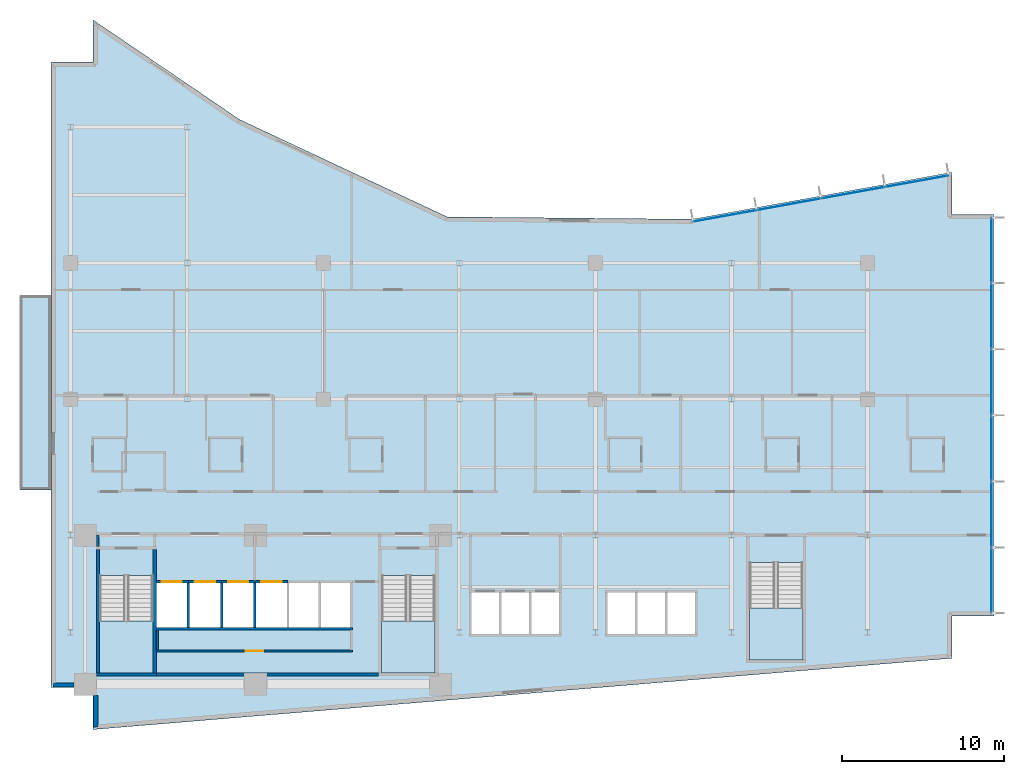
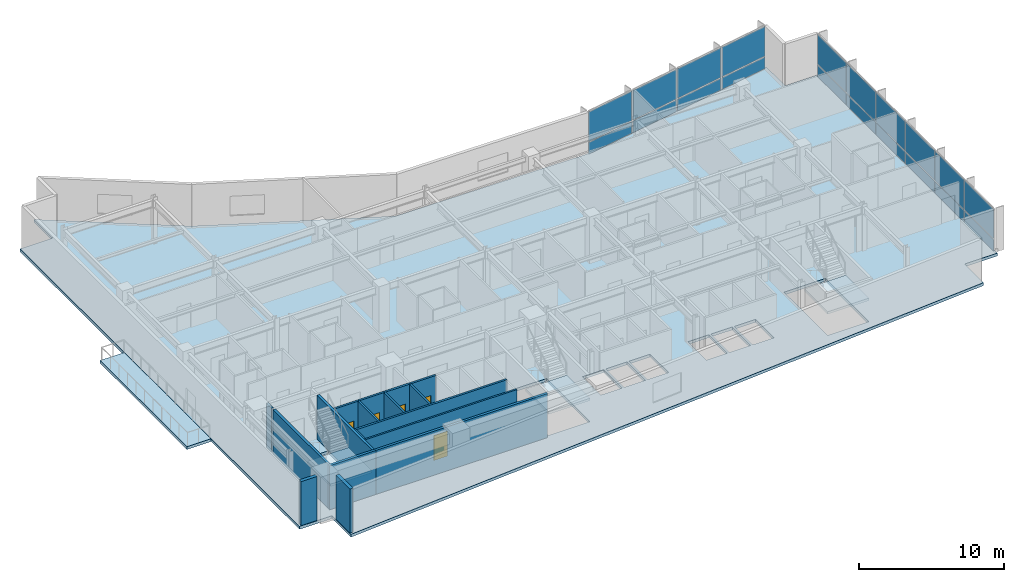
# One storey, part 11 of 20: 20 plates, 17 walls, 5 doors, 5 slabs, 5 openings, 5 elements without a shape of their own.
"""IFC4 building model written with IfcOpenShell, lengths in metres."""

import ifcopenshell
import ifcopenshell.guid

model = None  # the IFC model being written
_history = None  # IfcOwnerHistory: only IFC2X3 demands one
_inside = {}  # id of a spatial element -> (the spatial element, [elements in it])
_under = {}  # id of a project, library or spatial element -> (it, [spatial elements below it])
_declared = {}  # id of a project -> (the project, [libraries it declares])
_typed = {}  # id of a type object -> (the type object, [elements of that type])
_made_of = {}  # id of a material, layer set ... -> (it, [elements and type objects made of it])


def new_model(schema):
    """Start an empty IFC model of exactly this schema.

    Asked for "IFC4X3", IfcOpenShell would pick the latest addendum, in which some entities
    have other attributes; the version numbers below select the first issue.
    IFC2X3 requires an IfcOwnerHistory on every rooted entity: one is made here for all.
    """
    global model, _history
    if schema == "IFC4X3":
        model = ifcopenshell.file(schema_version=(4, 3, 0, 0))
    else:
        model = ifcopenshell.file(schema=schema)
    _inside.clear()
    _under.clear()
    _declared.clear()
    _typed.clear()
    _made_of.clear()
    _history = None
    if model.schema == "IFC2X3":
        org = make("IfcOrganization", Name="unknown")
        user = make(
            "IfcPersonAndOrganization",
            ThePerson=make("IfcPerson", FamilyName="unknown"),
            TheOrganization=org,
        )
        app = make(
            "IfcApplication",
            ApplicationDeveloper=org,
            Version="unknown",
            ApplicationFullName="unknown",
            ApplicationIdentifier="unknown",
        )
        _history = make(
            "IfcOwnerHistory",
            OwningUser=user,
            OwningApplication=app,
            ChangeAction="ADDED",
            CreationDate=0,
        )
    return model


def make(cls, **values):
    """One entity of the class cls with the attributes given. An attribute that is None is left unset."""
    return model.create_entity(
        cls, **{name: value for name, value in values.items() if value is not None}
    )


def rooted(cls, **values):
    """An entity with a GlobalId (a new one), such as an element, a storey or a relation."""
    return make(cls, GlobalId=ifcopenshell.guid.new(), OwnerHistory=_history, **values)


def si_unit(unit_type, name, prefix=None):
    """IfcSIUnit, for example si_unit("LENGTHUNIT", "METRE", prefix="MILLI")."""
    return make("IfcSIUnit", UnitType=unit_type, Prefix=prefix, Name=name)


def assignment(units):
    """IfcUnitAssignment: the units of a project."""
    return None if units is None else make("IfcUnitAssignment", Units=units)


def point(xyz):
    """IfcCartesianPoint."""
    return None if xyz is None else make("IfcCartesianPoint", Coordinates=xyz)


def direction(xyz):
    """IfcDirection."""
    return None if xyz is None else make("IfcDirection", DirectionRatios=xyz)


def frame(location, z_axis=None, x_axis=None):
    """IfcAxis2Placement3D, a coordinate frame: its origin and axes. An axis left out is left unset."""
    return make(
        "IfcAxis2Placement3D",
        Location=point(location),
        Axis=direction(z_axis),
        RefDirection=direction(x_axis),
    )


def frame_2d(location, x_axis=None):
    """IfcAxis2Placement2D, a coordinate frame in the plane: its origin and x axis."""
    return make(
        "IfcAxis2Placement2D", Location=point(location), RefDirection=direction(x_axis)
    )


def origin():
    """The frame at (0, 0, 0) with its axes left unset."""
    return frame((0.0, 0.0, 0.0))


def origin_2d():
    """The frame at (0, 0) in the plane with its x axis left unset."""
    return frame_2d((0.0, 0.0))


def place(relative_to, where):
    """IfcLocalPlacement: puts the frame where relative to a parent placement (None: the world)."""
    return make(
        "IfcLocalPlacement", PlacementRelTo=relative_to, RelativePlacement=where
    )


def context(
    kind, dimensions, precision=None, world=None, true_north=None, identifier=None
):
    """IfcGeometricRepresentationContext, for example the 3D "Model" context."""
    return make(
        "IfcGeometricRepresentationContext",
        ContextIdentifier=identifier,
        ContextType=kind,
        CoordinateSpaceDimension=dimensions,
        Precision=precision,
        WorldCoordinateSystem=world,
        TrueNorth=true_north,
    )


def subcontext(parent, identifier, kind, view, scale=None):
    """IfcGeometricRepresentationSubContext, for example "Body" below "Model"."""
    return make(
        "IfcGeometricRepresentationSubContext",
        ContextIdentifier=identifier,
        ContextType=kind,
        ParentContext=parent,
        TargetScale=scale,
        TargetView=view,
    )


def project(units=None, contexts=None):
    """IfcProject with its units and contexts."""
    return rooted(
        "IfcProject",
        Name="project",
        RepresentationContexts=contexts,
        UnitsInContext=assignment(units),
    )


def spatial(cls, under=None, at=None, **own):
    """A site, building, storey or space (cls), placed at a placement, below another one or the project."""
    s = rooted(cls, ObjectPlacement=at, **own)
    if under is not None:
        _under.setdefault(under.id(), (under, []))[1].append(s)
    return s


def polyline(points):
    """IfcPolyline through the points."""
    return make("IfcPolyline", Points=[point(p) for p in points])


def profile(cls, at=None, kind="AREA", **sizes):
    """A parametric profile (cls). Its sizes go by their IFC names, for example OverallWidth=200.0."""
    return make(cls, ProfileType=kind, Position=at, **sizes)


def rectangle(**sizes):
    """IfcRectangleProfileDef."""
    return profile("IfcRectangleProfileDef", **sizes)


def outline(outer, holes=None, kind="AREA"):
    """IfcArbitraryClosedProfileDef: a profile drawn as a closed curve; with holes, ...WithVoids."""
    if holes is None:
        return make("IfcArbitraryClosedProfileDef", ProfileType=kind, OuterCurve=outer)
    return make(
        "IfcArbitraryProfileDefWithVoids",
        ProfileType=kind,
        OuterCurve=outer,
        InnerCurves=holes,
    )


def extrude(swept, where, along, depth):
    """IfcExtrudedAreaSolid: the profile swept, set in the frame where, extruded along a direction by depth."""
    return make(
        "IfcExtrudedAreaSolid",
        SweptArea=swept,
        Position=where,
        ExtrudedDirection=direction(along),
        Depth=depth,
    )


def shape(context_of_items, identifier, shape_type, items):
    """IfcShapeRepresentation: the items that make up one representation, for example the "Body"."""
    return make(
        "IfcShapeRepresentation",
        ContextOfItems=context_of_items,
        RepresentationIdentifier=identifier,
        RepresentationType=shape_type,
        Items=items,
    )


def material(Name=None, Category=None):
    """IfcMaterial."""
    return make("IfcMaterial", Name=Name, Category=Category)


def layer(
    of_material, thickness, ventilated=None, Name=None, Category=None, Priority=None
):
    """IfcMaterialLayer: one layer of a wall or slab, of a material (None: an air gap)."""
    return make(
        "IfcMaterialLayer",
        Material=of_material,
        LayerThickness=thickness,
        IsVentilated=ventilated,
        Name=Name,
        Category=Category,
        Priority=Priority,
    )


def layer_set(layers, Name=None):
    """IfcMaterialLayerSet."""
    return make("IfcMaterialLayerSet", MaterialLayers=layers, LayerSetName=Name)


def made_of(thing, what):
    """Note that an element or type object is made of a material, layer set ...; save() writes the relation."""
    if what is not None:
        _made_of.setdefault(what.id(), (what, []))[1].append(thing)
    return thing


def type_object(cls, material=None, **own):
    """A type object (cls), such as IfcWallType, which elements share."""
    return made_of(rooted(cls, **own), material)


def element(
    cls,
    number,
    at=None,
    inside=None,
    cuts=None,
    type_object=None,
    material=None,
    context=None,
    identifier="Body",
    shape_type=None,
    held_by="IfcProductDefinitionShape",
    body=None,
    shapes=None,
    **own,
):
    """One element of the class cls, such as IfcWall. Its Tag is "e" and its number.

    at: its placement. inside: the storey or other place that contains it. cuts: it is an
    opening in that element (IfcRelVoidsElement). A single representation is given by context,
    identifier, shape_type and body (its items); several are given by shapes. held_by: the class
    of the entity that holds the representations. save() writes the other relations.
    """
    e = rooted(cls, Tag="e%d" % number, ObjectPlacement=at, **own)
    if body is not None:
        shapes = [shape(context, identifier, shape_type, body)]
    if shapes is not None:
        e.Representation = make(held_by, Representations=shapes)
    if inside is not None:
        _inside.setdefault(inside.id(), (inside, []))[1].append(e)
    if cuts is not None:
        rooted(
            "IfcRelVoidsElement", RelatingBuildingElement=cuts, RelatedOpeningElement=e
        )
    if type_object is not None:
        _typed.setdefault(type_object.id(), (type_object, []))[1].append(e)
    return made_of(e, material)


def fill(opening, filler):
    """IfcRelFillsElement: the door or window that sits in an opening."""
    return rooted(
        "IfcRelFillsElement",
        RelatingOpeningElement=opening,
        RelatedBuildingElement=filler,
    )


def aggregate(whole, parts):
    """IfcRelAggregates: a whole, such as a stair, and the parts it consists of."""
    return rooted("IfcRelAggregates", RelatingObject=whole, RelatedObjects=parts)


def save(model, path):
    """Write the relations noted so far, then the file.

    IfcRelAggregates (storeys below a building ...), IfcRelContainedInSpatialStructure (elements
    in a storey), IfcRelDefinesByType, IfcRelAssociatesMaterial and IfcRelDeclares: one each for
    every whole, place, type object, material and project.
    """
    for whole, parts in _under.values():
        aggregate(whole, parts)
    for where, things in _inside.values():
        rooted(
            "IfcRelContainedInSpatialStructure",
            RelatedElements=things,
            RelatingStructure=where,
        )
    for kind, things in _typed.values():
        rooted("IfcRelDefinesByType", RelatedObjects=things, RelatingType=kind)
    for what, things in _made_of.values():
        rooted("IfcRelAssociatesMaterial", RelatedObjects=things, RelatingMaterial=what)
    for by, libraries in _declared.values():
        rooted("IfcRelDeclares", RelatingContext=by, RelatedDefinitions=libraries)
    model.write(path)


model = new_model("IFC4")

# Units and contexts
model_context = context("Model", 3, precision=1e-05, world=origin(), true_north=direction((0.0, 1.0)))
body_context = subcontext(model_context, "Body", "Model", "MODEL_VIEW")
ifc_project = project(units=[si_unit("LENGTHUNIT", "METRE"), si_unit("AREAUNIT", "SQUARE_METRE"), si_unit("VOLUMEUNIT", "CUBIC_METRE"), si_unit("PLANEANGLEUNIT", "RADIAN"), si_unit("MASSUNIT", "GRAM", prefix="KILO")], contexts=[model_context])

# Site, building, storey
site_placement = place(None, origin())
site = spatial("IfcSite", under=ifc_project, at=site_placement, CompositionType="ELEMENT")
building_placement = place(site_placement, origin())
building = spatial("IfcBuilding", under=site, at=building_placement, Name="Varnakote Quay Hospital", CompositionType="ELEMENT")
storey_placement = place(building_placement, frame((0.0, 0.0, 26.449951171875)))
storey = spatial("IfcBuildingStorey", under=building, at=storey_placement, Name="L06", CompositionType="ELEMENT", Elevation=26.449951171875)

# Curtain wall, plates
ifc_material_1 = material(Name="Anodised aluminium 6063-T6 Bronze", Category="aluminium")
ifc_layer_1 = layer(ifc_material_1, 0.18994140625)
ifc_layer_set_1 = layer_set([ifc_layer_1], Name="Anodised aluminium 6063-T6 Bronze")
curtain_wall_type = type_object("IfcCurtainWallType", Name="CW-SYS-2", PredefinedType="NOTDEFINED", material=ifc_layer_set_1)
curtain_wall_1_placement = place(storey_placement, origin())
curtain_wall_1 = element("IfcCurtainWall", 1, at=curtain_wall_1_placement, inside=storey, type_object=curtain_wall_type, Name="L06 Unitised Bronze Curtain Wall 1", PredefinedType="NOTDEFINED")
ifc_material_2 = material(Name="Double-glazed acoustic laminated glass", Category="glass")
ifc_layer_2 = layer(ifc_material_2, 0.031982421875)
ifc_layer_set_2 = layer_set([ifc_layer_2], Name="Double-glazed acoustic laminated glass")
plate_type = type_object("IfcPlateType", Name="CW-PNL-GLZ-32", PredefinedType="CURTAIN_PANEL", material=ifc_layer_set_2)
plate_1_placement = place(storey_placement, frame((58.0400390625, 9.21875, 0.0751953125), z_axis=(0.0, 0.0, 1.0), x_axis=(0.0, 1.0, 0.0)))
plate_1 = element("IfcPlate", 2, at=plate_1_placement, type_object=plate_type, Name="-2-L06-1 panel 1.1", PredefinedType="CURTAIN_PANEL", context=body_context, shape_type="SweptSolid", body=[
    extrude(rectangle(XDim=3.967529296875, YDim=0.031982421875, at=origin_2d()), origin(), (0.0, 0.0, 1.0), 0.987548828125),
])
plate_2_placement = place(storey_placement, frame((58.0400390625, 9.21875, 1.137451171875), z_axis=(0.0, 0.0, 1.0), x_axis=(0.0, 1.0, 0.0)))
plate_2 = element("IfcPlate", 3, at=plate_2_placement, type_object=plate_type, Name="-2-L06-1 panel 1.2", PredefinedType="CURTAIN_PANEL", context=body_context, shape_type="SweptSolid", body=[
    extrude(rectangle(XDim=3.967529296875, YDim=0.031982421875, at=origin_2d()), origin(), (0.0, 0.0, 1.0), 2.49755859375),
])
plate_3_placement = place(storey_placement, frame((58.0400390625, 13.280029296875, 0.0751953125), z_axis=(0.0, 0.0, 1.0), x_axis=(0.0, 1.0, 0.0)))
plate_3 = element("IfcPlate", 4, at=plate_3_placement, type_object=plate_type, Name="-2-L06-1 panel 2.1", PredefinedType="CURTAIN_PANEL", context=body_context, shape_type="SweptSolid", body=[
    extrude(rectangle(XDim=4.0048828125, YDim=0.031982421875, at=origin_2d()), origin(), (0.0, 0.0, 1.0), 0.987548828125),
])
plate_4_placement = place(storey_placement, frame((58.0400390625, 13.280029296875, 1.137451171875), z_axis=(0.0, 0.0, 1.0), x_axis=(0.0, 1.0, 0.0)))
plate_4 = element("IfcPlate", 5, at=plate_4_placement, type_object=plate_type, Name="-2-L06-1 panel 2.2", PredefinedType="CURTAIN_PANEL", context=body_context, shape_type="SweptSolid", body=[
    extrude(rectangle(XDim=4.0048828125, YDim=0.031982421875, at=origin_2d()), origin(), (0.0, 0.0, 1.0), 2.49755859375),
])
plate_5_placement = place(storey_placement, frame((58.0400390625, 17.360107421875, 0.0751953125), z_axis=(0.0, 0.0, 1.0), x_axis=(0.0, 1.0, 0.0)))
plate_5 = element("IfcPlate", 6, at=plate_5_placement, type_object=plate_type, Name="-2-L06-1 panel 3.1", PredefinedType="CURTAIN_PANEL", context=body_context, shape_type="SweptSolid", body=[
    extrude(rectangle(XDim=4.0048828125, YDim=0.031982421875, at=origin_2d()), origin(), (0.0, 0.0, 1.0), 0.987548828125),
])
plate_6_placement = place(storey_placement, frame((58.0400390625, 17.360107421875, 1.137451171875), z_axis=(0.0, 0.0, 1.0), x_axis=(0.0, 1.0, 0.0)))
plate_6 = element("IfcPlate", 7, at=plate_6_placement, type_object=plate_type, Name="-2-L06-1 panel 3.2", PredefinedType="CURTAIN_PANEL", context=body_context, shape_type="SweptSolid", body=[
    extrude(rectangle(XDim=4.0048828125, YDim=0.031982421875, at=origin_2d()), origin(), (0.0, 0.0, 1.0), 2.49755859375),
])
plate_7_placement = place(storey_placement, frame((58.0400390625, 21.43994140625, 0.0751953125), z_axis=(0.0, 0.0, 1.0), x_axis=(0.0, 1.0, 0.0)))
plate_7 = element("IfcPlate", 8, at=plate_7_placement, type_object=plate_type, Name="-2-L06-1 panel 4.1", PredefinedType="CURTAIN_PANEL", context=body_context, shape_type="SweptSolid", body=[
    extrude(rectangle(XDim=4.0048828125, YDim=0.031982421875, at=origin_2d()), origin(), (0.0, 0.0, 1.0), 0.987548828125),
])
plate_8_placement = place(storey_placement, frame((58.0400390625, 21.43994140625, 1.137451171875), z_axis=(0.0, 0.0, 1.0), x_axis=(0.0, 1.0, 0.0)))
plate_8 = element("IfcPlate", 9, at=plate_8_placement, type_object=plate_type, Name="-2-L06-1 panel 4.2", PredefinedType="CURTAIN_PANEL", context=body_context, shape_type="SweptSolid", body=[
    extrude(rectangle(XDim=4.0048828125, YDim=0.031982421875, at=origin_2d()), origin(), (0.0, 0.0, 1.0), 2.49755859375),
])
plate_9_placement = place(storey_placement, frame((58.0400390625, 25.52001953125, 0.0751953125), z_axis=(0.0, 0.0, 1.0), x_axis=(0.0, 1.0, 0.0)))
plate_9 = element("IfcPlate", 10, at=plate_9_placement, type_object=plate_type, Name="-2-L06-1 panel 5.1", PredefinedType="CURTAIN_PANEL", context=body_context, shape_type="SweptSolid", body=[
    extrude(rectangle(XDim=4.0048828125, YDim=0.031982421875, at=origin_2d()), origin(), (0.0, 0.0, 1.0), 0.987548828125),
])
plate_10_placement = place(storey_placement, frame((58.0400390625, 25.52001953125, 1.137451171875), z_axis=(0.0, 0.0, 1.0), x_axis=(0.0, 1.0, 0.0)))
plate_10 = element("IfcPlate", 11, at=plate_10_placement, type_object=plate_type, Name="-2-L06-1 panel 5.2", PredefinedType="CURTAIN_PANEL", context=body_context, shape_type="SweptSolid", body=[
    extrude(rectangle(XDim=4.0048828125, YDim=0.031982421875, at=origin_2d()), origin(), (0.0, 0.0, 1.0), 2.49755859375),
])
plate_11_placement = place(storey_placement, frame((58.0400390625, 29.581298828125, 0.0751953125), z_axis=(0.0, 0.0, 1.0), x_axis=(0.0, 1.0, 0.0)))
plate_11 = element("IfcPlate", 12, at=plate_11_placement, type_object=plate_type, Name="-2-L06-1 panel 6.1", PredefinedType="CURTAIN_PANEL", context=body_context, shape_type="SweptSolid", body=[
    extrude(rectangle(XDim=3.967529296875, YDim=0.031982421875, at=origin_2d()), origin(), (0.0, 0.0, 1.0), 0.987548828125),
])
plate_12_placement = place(storey_placement, frame((58.0400390625, 29.581298828125, 1.137451171875), z_axis=(0.0, 0.0, 1.0), x_axis=(0.0, 1.0, 0.0)))
plate_12 = element("IfcPlate", 13, at=plate_12_placement, type_object=plate_type, Name="-2-L06-1 panel 6.2", PredefinedType="CURTAIN_PANEL", context=body_context, shape_type="SweptSolid", body=[
    extrude(rectangle(XDim=3.967529296875, YDim=0.031982421875, at=origin_2d()), origin(), (0.0, 0.0, 1.0), 2.49755859375),
])
aggregate(curtain_wall_1, [plate_1, plate_2, plate_3, plate_4, plate_5, plate_6, plate_7, plate_8, plate_9, plate_10, plate_11, plate_12])

curtain_wall_2_placement = place(storey_placement, origin())
curtain_wall_2 = element("IfcCurtainWall", 14, at=curtain_wall_2_placement, inside=storey, type_object=curtain_wall_type, Name="L06 Unitised Bronze Curtain Wall 2", PredefinedType="NOTDEFINED")
plate_13_placement = place(storey_placement, frame((53.440185546875, 33.84716796875, 0.0751953125), z_axis=(0.0, 0.0, 1.0), x_axis=(-0.984058295766, -0.177846199098, 0.0)))
plate_13 = element("IfcPlate", 15, at=plate_13_placement, type_object=plate_type, Name="-2-L06-2 panel 1.1", PredefinedType="CURTAIN_PANEL", context=body_context, shape_type="SweptSolid", body=[
    extrude(rectangle(XDim=3.914306640625, YDim=0.031982421875, at=origin_2d()), origin(), (0.0, 0.0, 1.0), 0.987548828125),
])
plate_14_placement = place(storey_placement, frame((53.440185546875, 33.84716796875, 1.137451171875), z_axis=(0.0, 0.0, 1.0), x_axis=(-0.984058295766, -0.177846199098, 0.0)))
plate_14 = element("IfcPlate", 16, at=plate_14_placement, type_object=plate_type, Name="-2-L06-2 panel 1.2", PredefinedType="CURTAIN_PANEL", context=body_context, shape_type="SweptSolid", body=[
    extrude(rectangle(XDim=3.914306640625, YDim=0.031982421875, at=origin_2d()), origin(), (0.0, 0.0, 1.0), 2.49755859375),
])
plate_15_placement = place(storey_placement, frame((49.49609375, 33.13427734375, 0.0751953125), z_axis=(0.0, 0.0, 1.0), x_axis=(-0.984058295766, -0.177846199098, 0.0)))
plate_15 = element("IfcPlate", 17, at=plate_15_placement, type_object=plate_type, Name="-2-L06-2 panel 2.1", PredefinedType="CURTAIN_PANEL", context=body_context, shape_type="SweptSolid", body=[
    extrude(rectangle(XDim=3.951904296875, YDim=0.031982421875, at=origin_2d()), origin(), (0.0, 0.0, 1.0), 0.987548828125),
])
plate_16_placement = place(storey_placement, frame((49.49609375, 33.13427734375, 1.137451171875), z_axis=(0.0, 0.0, 1.0), x_axis=(-0.984058295766, -0.177846199098, 0.0)))
plate_16 = element("IfcPlate", 18, at=plate_16_placement, type_object=plate_type, Name="-2-L06-2 panel 2.2", PredefinedType="CURTAIN_PANEL", context=body_context, shape_type="SweptSolid", body=[
    extrude(rectangle(XDim=3.951904296875, YDim=0.031982421875, at=origin_2d()), origin(), (0.0, 0.0, 1.0), 2.49755859375),
])
plate_17_placement = place(storey_placement, frame((45.533447265625, 32.418212890625, 0.0751953125), z_axis=(0.0, 0.0, 1.0), x_axis=(-0.984058295766, -0.177846199098, 0.0)))
plate_17 = element("IfcPlate", 19, at=plate_17_placement, type_object=plate_type, Name="-2-L06-2 panel 3.1", PredefinedType="CURTAIN_PANEL", context=body_context, shape_type="SweptSolid", body=[
    extrude(rectangle(XDim=3.951904296875, YDim=0.031982421875, at=origin_2d()), origin(), (0.0, 0.0, 1.0), 0.987548828125),
])
plate_18_placement = place(storey_placement, frame((45.533447265625, 32.418212890625, 1.137451171875), z_axis=(0.0, 0.0, 1.0), x_axis=(-0.984058295766, -0.177846199098, 0.0)))
plate_18 = element("IfcPlate", 20, at=plate_18_placement, type_object=plate_type, Name="-2-L06-2 panel 3.2", PredefinedType="CURTAIN_PANEL", context=body_context, shape_type="SweptSolid", body=[
    extrude(rectangle(XDim=3.951904296875, YDim=0.031982421875, at=origin_2d()), origin(), (0.0, 0.0, 1.0), 2.49755859375),
])
plate_19_placement = place(storey_placement, frame((41.58935546875, 31.705322265625, 0.0751953125), z_axis=(0.0, 0.0, 1.0), x_axis=(-0.984058295766, -0.177846199098, 0.0)))
plate_19 = element("IfcPlate", 21, at=plate_19_placement, type_object=plate_type, Name="-2-L06-2 panel 4.1", PredefinedType="CURTAIN_PANEL", context=body_context, shape_type="SweptSolid", body=[
    extrude(rectangle(XDim=3.914306640625, YDim=0.031982421875, at=origin_2d()), origin(), (0.0, 0.0, 1.0), 0.987548828125),
])
plate_20_placement = place(storey_placement, frame((41.58935546875, 31.705322265625, 1.137451171875), z_axis=(0.0, 0.0, 1.0), x_axis=(-0.984058295766, -0.177846199098, 0.0)))
plate_20 = element("IfcPlate", 22, at=plate_20_placement, type_object=plate_type, Name="-2-L06-2 panel 4.2", PredefinedType="CURTAIN_PANEL", context=body_context, shape_type="SweptSolid", body=[
    extrude(rectangle(XDim=3.914306640625, YDim=0.031982421875, at=origin_2d()), origin(), (0.0, 0.0, 1.0), 2.49755859375),
])
aggregate(curtain_wall_2, [plate_13, plate_14, plate_15, plate_16, plate_17, plate_18, plate_19, plate_20])

# Stair, slab
ifc_material_3 = material(Name="Concrete N40 (f'c 40 MPa)", Category="concrete")
stair_type = type_object("IfcStairType", Name="STR-CORE-1580", PredefinedType="HALF_TURN_STAIR", material=ifc_material_3)
stair_1_placement = place(storey_placement, origin())
stair_1 = element("IfcStair", 23, at=stair_1_placement, inside=storey, type_object=stair_type, Name="L06 Fire-Isolated Exit Stair ST-01", PredefinedType="HALF_TURN_STAIR")
ifc_material_4 = material(Name="Concrete N40 (f'c 40 MPa)", Category="concrete")
ifc_layer_3 = layer(ifc_material_4, 0.199951171875)
ifc_layer_set_3 = layer_set([ifc_layer_3], Name="Concrete N40 (f'c 40 MPa)")
slab_type_1 = type_object("IfcSlabType", Name="SLB-STAIR-LND-200", PredefinedType="LANDING", material=ifc_layer_set_3)
slab_1_placement = place(storey_placement, frame((0.0, 0.0, 1.775146484375)))
slab_1 = element("IfcSlab", 24, at=slab_1_placement, type_object=slab_type_1, Name="ST-01 landing 1", PredefinedType="LANDING", context=body_context, shape_type="SweptSolid", body=[
    extrude(outline(polyline([(3.0, 6.699951171875), (3.0, 3.5), (6.300048828125, 3.5), (6.300048828125, 6.699951171875), (3.0, 6.699951171875)])), origin(), (0.0, 0.0, 1.0), 0.199951171875),
])
aggregate(stair_1, [slab_1])

stair_2_placement = place(storey_placement, origin())
stair_2 = element("IfcStair", 25, at=stair_2_placement, inside=storey, type_object=stair_type, Name="L06 Fire-Isolated Exit Stair ST-02", PredefinedType="HALF_TURN_STAIR")
slab_2_placement = place(storey_placement, frame((0.0, 0.0, 1.775146484375)))
slab_2 = element("IfcSlab", 26, at=slab_2_placement, type_object=slab_type_1, Name="ST-02 landing 1", PredefinedType="LANDING", context=body_context, shape_type="SweptSolid", body=[
    extrude(outline(polyline([(20.39990234375, 6.699951171875), (20.39990234375, 3.5), (23.699951171875, 3.5), (23.699951171875, 6.699951171875), (20.39990234375, 6.699951171875)])), origin(), (0.0, 0.0, 1.0), 0.199951171875),
])
aggregate(stair_2, [slab_2])

stair_3_placement = place(storey_placement, origin())
stair_3 = element("IfcStair", 27, at=stair_3_placement, inside=storey, type_object=stair_type, Name="L06 Fire-Isolated Exit Stair ST-03", PredefinedType="HALF_TURN_STAIR")
slab_3_placement = place(storey_placement, frame((0.0, 0.0, 1.775146484375)))
slab_3 = element("IfcSlab", 28, at=slab_3_placement, type_object=slab_type_1, Name="ST-03 landing 1", PredefinedType="LANDING", context=body_context, shape_type="SweptSolid", body=[
    extrude(outline(polyline([(43.10009765625, 7.5), (43.10009765625, 4.300048828125), (46.39990234375, 4.300048828125), (46.39990234375, 7.5), (43.10009765625, 7.5)])), origin(), (0.0, 0.0, 1.0), 0.199951171875),
])
aggregate(stair_3, [slab_3])

# Slabs
ifc_material_5 = material(Name="Concrete N50 (f'c 50 MPa)", Category="concrete")
ifc_layer_4 = layer(ifc_material_5, 0.239990234375)
ifc_layer_set_4 = layer_set([ifc_layer_4], Name="Concrete N50 (f'c 50 MPa)")
slab_type_2 = type_object("IfcSlabType", Name="SLB-TERR-200", PredefinedType="FLOOR", material=ifc_layer_set_4)
slab_4_placement = place(storey_placement, frame((0.0, 0.0, -0.239990234375)))
element("IfcSlab", 29, at=slab_4_placement, inside=storey, type_object=slab_type_2, Name="L06 Waterfront Healing Terrace Slab", PredefinedType="FLOOR", context=body_context, shape_type="SweptSolid", body=[
    extrude(outline(polyline([(0.00390625, 14.800048828125), (0.00390625, 26.800048828125), (-1.919921875, 26.800048828125), (-1.919921875, 14.800048828125), (0.00390625, 14.800048828125)])), origin(), (0.0, 0.0, 1.0), 0.239990234375),
])
ifc_material_6 = material(Name="Concrete N50 (f'c 50 MPa)", Category="concrete")
ifc_layer_5 = layer(ifc_material_6, 0.239990234375)
ifc_layer_set_5 = layer_set([ifc_layer_5], Name="Concrete N50 (f'c 50 MPa)")
slab_type_3 = type_object("IfcSlabType", Name="SLB-WARD-200", PredefinedType="FLOOR", material=ifc_layer_set_5)
slab_5_placement = place(storey_placement, frame((0.0, 0.0, -0.239990234375)))
element("IfcSlab", 30, at=slab_5_placement, inside=storey, type_object=slab_type_3, Name="L06 Primary Floor Slab", PredefinedType="FLOOR", context=body_context, shape_type="SweptSolid", body=[
    extrude(outline(polyline([(0.0, 2.60009765625), (2.60009765625, 2.60009765625), (2.60009765625, 0.0), (55.60009765625, 4.39990234375), (55.60009765625, 7.0), (58.199951171875, 7.0), (58.199951171875, 31.800048828125), (55.60009765625, 31.800048828125), (55.60009765625, 34.39990234375), (39.575927734375, 31.50390625), (24.444091796875, 31.652099609375), (11.639892578125, 37.656005859375), (2.60009765625, 43.800048828125), (2.60009765625, 41.199951171875), (0.0, 41.199951171875), (0.0, 2.60009765625)]), holes=[polyline([(3.0, 3.5), (6.300048828125, 3.5), (6.300048828125, 9.49951171875), (3.0, 9.49951171875), (3.0, 3.5)]), polyline([(20.39990234375, 3.5), (23.699951171875, 3.5), (23.699951171875, 9.49951171875), (20.39990234375, 9.49951171875), (20.39990234375, 3.5)]), polyline([(43.10009765625, 4.300048828125), (46.39990234375, 4.300048828125), (46.39990234375, 10.29931640625), (43.10009765625, 10.29931640625), (43.10009765625, 4.300048828125)]), polyline([(6.5, 6.300048828125), (8.39990234375, 6.300048828125), (8.39990234375, 9.050048828125), (6.5, 9.050048828125), (6.5, 6.300048828125)]), polyline([(8.550048828125, 6.300048828125), (10.449951171875, 6.300048828125), (10.449951171875, 9.050048828125), (8.550048828125, 9.050048828125), (8.550048828125, 6.300048828125)]), polyline([(10.60009765625, 6.300048828125), (12.5, 6.300048828125), (12.5, 9.050048828125), (10.60009765625, 9.050048828125), (10.60009765625, 6.300048828125)]), polyline([(12.64990234375, 6.300048828125), (14.550048828125, 6.300048828125), (14.550048828125, 9.050048828125), (12.64990234375, 9.050048828125), (12.64990234375, 6.300048828125)]), polyline([(14.699951171875, 6.300048828125), (16.5, 6.300048828125), (16.5, 9.050048828125), (14.699951171875, 9.050048828125), (14.699951171875, 6.300048828125)]), polyline([(16.64990234375, 6.300048828125), (18.449951171875, 6.300048828125), (18.449951171875, 9.050048828125), (16.64990234375, 9.050048828125), (16.64990234375, 6.300048828125)]), polyline([(25.949951171875, 5.89990234375), (27.64990234375, 5.89990234375), (27.64990234375, 8.449951171875), (25.949951171875, 8.449951171875), (25.949951171875, 5.89990234375)]), polyline([(27.800048828125, 5.89990234375), (29.5, 5.89990234375), (29.5, 8.449951171875), (27.800048828125, 8.449951171875), (27.800048828125, 5.89990234375)]), polyline([(29.64990234375, 5.89990234375), (31.35009765625, 5.89990234375), (31.35009765625, 8.449951171875), (29.64990234375, 8.449951171875), (29.64990234375, 5.89990234375)]), polyline([(34.35009765625, 5.89990234375), (36.050048828125, 5.89990234375), (36.050048828125, 8.449951171875), (34.35009765625, 8.449951171875), (34.35009765625, 5.89990234375)]), polyline([(36.199951171875, 5.89990234375), (37.89990234375, 5.89990234375), (37.89990234375, 8.449951171875), (36.199951171875, 8.449951171875), (36.199951171875, 5.89990234375)]), polyline([(38.050048828125, 5.89990234375), (39.75, 5.89990234375), (39.75, 8.449951171875), (38.050048828125, 8.449951171875), (38.050048828125, 5.89990234375)])]), origin(), (0.0, 0.0, 1.0), 0.239990234375),
])

# Walls
ifc_material_7 = material(Name="Fire-rated acoustic gypsum stud wall", Category="gypsum")
ifc_layer_6 = layer(ifc_material_7, 0.159912109375)
ifc_layer_set_6 = layer_set([ifc_layer_6], Name="Fire-rated acoustic gypsum stud wall")
wall_type_1 = type_object("IfcWallType", Name="WL-COMP-160", PredefinedType="PARTITIONING", material=ifc_layer_set_6)
wall_1_placement = place(storey_placement, frame((2.8798828125, 11.300048828125, 0.0), z_axis=(0.0, 0.0, 1.0), x_axis=(0.0, 1.0, 0.0)))
element("IfcWall", 31, at=wall_1_placement, inside=storey, type_object=wall_type_1, Name="L06 West Stair Vestibule West Wall", PredefinedType="PARTITIONING", context=body_context, shape_type="SweptSolid", body=[
    extrude(rectangle(XDim=0.699951171875, YDim=0.159912109375, at=frame_2d((0.35009765625, 0.0))), origin(), (0.0, 0.0, 1.0), 3.7099609375),
])
ifc_material_8 = material(Name="Concrete N80 (f'c 80 MPa)", Category="concrete")
ifc_layer_7 = layer(ifc_material_8, 0.199951171875)
ifc_layer_set_7 = layer_set([ifc_layer_7], Name="Concrete N80 (f'c 80 MPa)")
wall_type_2 = type_object("IfcWallType", Name="WL-CORE-N80-200", PredefinedType="SHEAR", material=ifc_layer_set_7)
wall_2_placement = place(storey_placement, frame((6.5, 3.39990234375, 0.0), z_axis=(0.0, 0.0, 1.0), x_axis=(1.0, 0.0, 0.0)))
element("IfcWall", 32, at=wall_2_placement, inside=storey, type_object=wall_type_2, Name="L06 Rear Core South Shear Wall", PredefinedType="SHEAR", context=body_context, shape_type="SweptSolid", body=[
    extrude(rectangle(XDim=13.699951171875, YDim=0.199951171875, at=frame_2d((6.85009765625, 0.0))), origin(), (0.0, 0.0, 1.0), 3.7099609375),
])
ifc_material_9 = material(Name="Precast concrete N50 (f'c 50 MPa)", Category="concrete")
ifc_layer_8 = layer(ifc_material_9, 0.260009765625)
ifc_layer_set_8 = layer_set([ifc_layer_8], Name="Precast concrete N50 (f'c 50 MPa)")
wall_type_3 = type_object("IfcWallType", Name="WL-EXT-BRICK-260", PredefinedType="STANDARD", material=ifc_layer_set_8)
wall_3_placement = place(storey_placement, frame((2.760009765625, 2.114990234375, 0.0), z_axis=(0.0, 0.0, 1.0), x_axis=(0.0, -1.0, 0.0)))
element("IfcWall", 33, at=wall_3_placement, inside=storey, type_object=wall_type_3, Name="L06 Brick-Faced Precast Exterior Wall", PredefinedType="STANDARD", context=body_context, shape_type="SweptSolid", body=[
    extrude(rectangle(XDim=1.941162109375, YDim=0.260009765625, at=frame_2d((0.970703125, 0.0))), origin(), (0.0, 0.0, 1.0), 3.7099609375),
])
wall_4_placement = place(storey_placement, frame((0.159912109375, 2.760009765625, 0.0), z_axis=(0.0, 0.0, 1.0), x_axis=(1.0, 0.0, 0.0)))
element("IfcWall", 34, at=wall_4_placement, inside=storey, type_object=wall_type_3, Name="L06 Brick-Faced Precast Exterior Wall", PredefinedType="STANDARD", context=body_context, shape_type="SweptSolid", body=[
    extrude(rectangle(XDim=1.255126953125, YDim=0.260009765625, at=frame_2d((0.62744140625, 0.0))), origin(), (0.0, 0.0, 1.0), 3.7099609375),
])
ifc_material_10 = material(Name="Concrete N50 (f'c 50 MPa)", Category="concrete")
ifc_layer_9 = layer(ifc_material_10, 0.14990234375)
ifc_layer_set_9 = layer_set([ifc_layer_9], Name="Concrete N50 (f'c 50 MPa)")
wall_type_4 = type_object("IfcWallType", Name="WL-SHAFT-N50-150", PredefinedType="SHEAR", material=ifc_layer_set_9)
for number, where, z_axis, x_axis, name in (
    (35, (8.47509765625, 6.300048828125, 0.0), (0.0, 0.0, 1.0), (0.0, 1.0, 0.0), "L06 LF-FF1 Hoistway Divider Wall"),
    (36, (10.52490234375, 6.300048828125, 0.0), (0.0, 0.0, 1.0), (0.0, 1.0, 0.0), "L06 LF-FF2 Hoistway Divider Wall"),
    (37, (12.574951171875, 6.300048828125, 0.0), (0.0, 0.0, 1.0), (0.0, 1.0, 0.0), "L06 LF-SV1 Hoistway Divider Wall"),
):
    element("IfcWall", number, at=place(storey_placement, frame(where, z_axis=z_axis, x_axis=x_axis)), inside=storey, type_object=wall_type_4, Name=name, PredefinedType="SHEAR", context=body_context, shape_type="SweptSolid", body=[
        extrude(rectangle(XDim=2.75, YDim=0.14990234375, at=frame_2d((1.375, 0.0))), origin(), (0.0, 0.0, 1.0), 3.7099609375),
    ])
ifc_material_11 = material(Name="Concrete N50 (f'c 50 MPa)", Category="concrete")
ifc_layer_10 = layer(ifc_material_11, 0.159912109375)
ifc_layer_set_10 = layer_set([ifc_layer_10], Name="Concrete N50 (f'c 50 MPa)")
wall_type_5 = type_object("IfcWallType", Name="WL-SHAFT-N50-160", PredefinedType="SHEAR", material=ifc_layer_set_10)
wall_5_placement = place(storey_placement, frame((6.5, 6.219970703125, 0.0), z_axis=(0.0, 0.0, 1.0), x_axis=(1.0, 0.0, 0.0)))
element("IfcWall", 38, at=wall_5_placement, inside=storey, type_object=wall_type_5, Name="L06 REAR Lift Bank Back Shear Wall", PredefinedType="SHEAR", context=body_context, shape_type="SweptSolid", body=[
    extrude(rectangle(XDim=12.110107421875, YDim=0.159912109375, at=frame_2d((6.05517578125, 0.0))), origin(), (0.0, 0.0, 1.0), 3.7099609375),
])

# Wall, opening, door
wall_6_placement = place(storey_placement, frame((6.5, 9.1298828125, 0.0), z_axis=(0.0, 0.0, 1.0), x_axis=(1.0, 0.0, 0.0)))
wall_6 = element("IfcWall", 39, at=wall_6_placement, inside=storey, type_object=wall_type_5, Name="L06 LF-FF1 Hoistway Front Wall", PredefinedType="SHEAR", context=body_context, shape_type="SweptSolid", body=[
    extrude(rectangle(XDim=1.97509765625, YDim=0.159912109375, at=frame_2d((0.987548828125, 0.0))), origin(), (0.0, 0.0, 1.0), 3.7099609375),
])
opening_1_placement = place(wall_6_placement, frame((0.324951171875, 0.0, 0.0)))
opening_1 = element("IfcOpeningElement", 40, at=opening_1_placement, cuts=wall_6, Name="Opening LD-FF1-L06", PredefinedType="OPENING", context=body_context, shape_type="SweptSolid", body=[
    extrude(rectangle(XDim=1.25, YDim=2.14990234375, at=frame_2d((0.625, 1.074951171875))), frame((0.0, 0.08984375, 0.0), z_axis=(0.0, -1.0, 0.0), x_axis=(1.0, 0.0, 0.0)), (0.0, 0.0, 1.0), 0.179931640625),
])
ifc_material_12 = material(Name="Stainless steel lift landing sliding door", Category="steel")
door_type_1 = type_object("IfcDoorType", Name="DR-LIFT-LD-1250x2150", OperationType="NOTDEFINED", PredefinedType="DOOR", material=ifc_material_12)
door_1_placement = place(opening_1_placement, origin())
door_1 = element("IfcDoor", 41, at=door_1_placement, inside=storey, type_object=door_type_1, Name="L06 LF-FF1 Lift Landing Sliding Door", OperationType="SLIDING_TO_LEFT", OverallHeight=2.14990234375, OverallWidth=1.25, PredefinedType="DOOR", context=body_context, shape_type="SweptSolid", body=[
    extrude(rectangle(XDim=1.25, YDim=2.14990234375, at=frame_2d((0.625, 1.074951171875))), frame((0.0, 0.02490234375, 0.0), z_axis=(0.0, -1.0, 0.0), x_axis=(1.0, 0.0, 0.0)), (0.0, 0.0, 1.0), 0.050048828125),
])
fill(opening_1, door_1)

wall_7_placement = place(storey_placement, frame((8.47509765625, 9.1298828125, 0.0), z_axis=(0.0, 0.0, 1.0), x_axis=(1.0, 0.0, 0.0)))
wall_7 = element("IfcWall", 42, at=wall_7_placement, inside=storey, type_object=wall_type_5, Name="L06 LF-FF2 Hoistway Front Wall", PredefinedType="SHEAR", context=body_context, shape_type="SweptSolid", body=[
    extrude(rectangle(XDim=2.0498046875, YDim=0.159912109375, at=frame_2d((1.02490234375, 0.0))), origin(), (0.0, 0.0, 1.0), 3.7099609375),
])
opening_2_placement = place(wall_7_placement, frame((0.39990234375, 0.0, 0.0)))
opening_2 = element("IfcOpeningElement", 43, at=opening_2_placement, cuts=wall_7, Name="Opening LD-FF2-L06", PredefinedType="OPENING", context=body_context, shape_type="SweptSolid", body=[
    extrude(rectangle(XDim=1.25, YDim=2.14990234375, at=frame_2d((0.625, 1.074951171875))), frame((0.0, 0.08984375, 0.0), z_axis=(0.0, -1.0, 0.0), x_axis=(1.0, 0.0, 0.0)), (0.0, 0.0, 1.0), 0.179931640625),
])
door_2_placement = place(opening_2_placement, origin())
door_2 = element("IfcDoor", 44, at=door_2_placement, inside=storey, type_object=door_type_1, Name="L06 LF-FF2 Lift Landing Sliding Door", OperationType="SLIDING_TO_LEFT", OverallHeight=2.14990234375, OverallWidth=1.25, PredefinedType="DOOR", context=body_context, shape_type="SweptSolid", body=[
    extrude(rectangle(XDim=1.25, YDim=2.14990234375, at=frame_2d((0.625, 1.074951171875))), frame((0.0, 0.02490234375, 0.0), z_axis=(0.0, -1.0, 0.0), x_axis=(1.0, 0.0, 0.0)), (0.0, 0.0, 1.0), 0.050048828125),
])
fill(opening_2, door_2)

wall_8_placement = place(storey_placement, frame((10.52490234375, 9.1298828125, 0.0), z_axis=(0.0, 0.0, 1.0), x_axis=(1.0, 0.0, 0.0)))
wall_8 = element("IfcWall", 45, at=wall_8_placement, inside=storey, type_object=wall_type_5, Name="L06 LF-SV1 Hoistway Front Wall", PredefinedType="SHEAR", context=body_context, shape_type="SweptSolid", body=[
    extrude(rectangle(XDim=2.050048828125, YDim=0.159912109375, at=frame_2d((1.02490234375, 0.0))), origin(), (0.0, 0.0, 1.0), 3.7099609375),
])
opening_3_placement = place(wall_8_placement, frame((0.39990234375, 0.0, 0.0)))
opening_3 = element("IfcOpeningElement", 46, at=opening_3_placement, cuts=wall_8, Name="Opening LD-SV1-L06", PredefinedType="OPENING", context=body_context, shape_type="SweptSolid", body=[
    extrude(rectangle(XDim=1.25, YDim=2.14990234375, at=frame_2d((0.625, 1.074951171875))), frame((0.0, 0.08984375, 0.0), z_axis=(0.0, -1.0, 0.0), x_axis=(1.0, 0.0, 0.0)), (0.0, 0.0, 1.0), 0.179931640625),
])
door_3_placement = place(opening_3_placement, origin())
door_3 = element("IfcDoor", 47, at=door_3_placement, inside=storey, type_object=door_type_1, Name="L06 LF-SV1 Lift Landing Sliding Door", OperationType="SLIDING_TO_LEFT", OverallHeight=2.14990234375, OverallWidth=1.25, PredefinedType="DOOR", context=body_context, shape_type="SweptSolid", body=[
    extrude(rectangle(XDim=1.25, YDim=2.14990234375, at=frame_2d((0.625, 1.074951171875))), frame((0.0, 0.02490234375, 0.0), z_axis=(0.0, -1.0, 0.0), x_axis=(1.0, 0.0, 0.0)), (0.0, 0.0, 1.0), 0.050048828125),
])
fill(opening_3, door_3)

wall_9_placement = place(storey_placement, frame((12.574951171875, 9.1298828125, 0.0), z_axis=(0.0, 0.0, 1.0), x_axis=(1.0, 0.0, 0.0)))
wall_9 = element("IfcWall", 48, at=wall_9_placement, inside=storey, type_object=wall_type_5, Name="L06 LF-SV2 Hoistway Front Wall", PredefinedType="SHEAR", context=body_context, shape_type="SweptSolid", body=[
    extrude(rectangle(XDim=2.050048828125, YDim=0.159912109375, at=frame_2d((1.02490234375, 0.0))), origin(), (0.0, 0.0, 1.0), 3.7099609375),
])
opening_4_placement = place(wall_9_placement, frame((0.39990234375, 0.0, 0.0)))
opening_4 = element("IfcOpeningElement", 49, at=opening_4_placement, cuts=wall_9, Name="Opening LD-SV2-L06", PredefinedType="OPENING", context=body_context, shape_type="SweptSolid", body=[
    extrude(rectangle(XDim=1.25, YDim=2.14990234375, at=frame_2d((0.625, 1.074951171875))), frame((0.0, 0.08984375, 0.0), z_axis=(0.0, -1.0, 0.0), x_axis=(1.0, 0.0, 0.0)), (0.0, 0.0, 1.0), 0.179931640625),
])
door_4_placement = place(opening_4_placement, origin())
door_4 = element("IfcDoor", 50, at=door_4_placement, inside=storey, type_object=door_type_1, Name="L06 LF-SV2 Lift Landing Sliding Door", OperationType="SLIDING_TO_LEFT", OverallHeight=2.14990234375, OverallWidth=1.25, PredefinedType="DOOR", context=body_context, shape_type="SweptSolid", body=[
    extrude(rectangle(XDim=1.25, YDim=2.14990234375, at=frame_2d((0.625, 1.074951171875))), frame((0.0, 0.02490234375, 0.0), z_axis=(0.0, -1.0, 0.0), x_axis=(1.0, 0.0, 0.0)), (0.0, 0.0, 1.0), 0.050048828125),
])
fill(opening_4, door_4)

# Walls
ifc_material_13 = material(Name="Concrete N50 (f'c 50 MPa)", Category="concrete")
ifc_layer_11 = layer(ifc_material_13, 0.199951171875)
ifc_layer_set_11 = layer_set([ifc_layer_11], Name="Concrete N50 (f'c 50 MPa)")
wall_type_6 = type_object("IfcWallType", Name="WL-SHAFT-N50-200", PredefinedType="SHEAR", material=ifc_layer_set_11)
wall_10_placement = place(storey_placement, frame((2.800048828125, 3.39990234375, 0.0), z_axis=(0.0, 0.0, 1.0), x_axis=(1.0, 0.0, 0.0)))
element("IfcWall", 51, at=wall_10_placement, inside=storey, type_object=wall_type_6, Name="L06 Stair ST1 South Shaft Wall", PredefinedType="SHEAR", context=body_context, shape_type="SweptSolid", body=[
    extrude(rectangle(XDim=3.699951171875, YDim=0.199951171875, at=frame_2d((1.85009765625, 0.0))), origin(), (0.0, 0.0, 1.0), 3.7099609375),
])
for number, where, z_axis, x_axis, name in (
    (52, (2.89990234375, 3.5, 0.0), (0.0, 0.0, 1.0), (0.0, 1.0, 0.0), "L06 Stair ST1 West Shaft Wall"),
    (53, (6.39990234375, 3.5, 0.0), (0.0, 0.0, 1.0), (0.0, 1.0, 0.0), "L06 Stair ST1 East Shaft Wall"),
):
    element("IfcWall", number, at=place(storey_placement, frame(where, z_axis=z_axis, x_axis=x_axis)), inside=storey, type_object=wall_type_6, Name=name, PredefinedType="SHEAR", context=body_context, shape_type="SweptSolid", body=[
        extrude(rectangle(XDim=7.60009765625, YDim=0.199951171875, at=frame_2d((3.800048828125, 0.0))), origin(), (0.0, 0.0, 1.0), 3.7099609375),
    ])
ifc_material_14 = material(Name="Smoke-proof clinical partition", Category="gypsum")
ifc_layer_12 = layer(ifc_material_14, 0.1201171875)
ifc_layer_set_12 = layer_set([ifc_layer_12], Name="Smoke-proof clinical partition")
wall_type_7 = type_object("IfcWallType", Name="WL-SMOKE-120", PredefinedType="PARTITIONING", material=ifc_layer_set_12)
wall_11_placement = place(storey_placement, frame((6.56005859375, 4.919921875, 0.0), z_axis=(0.0, 0.0, 1.0), x_axis=(0.0, 1.0, 0.0)))
element("IfcWall", 54, at=wall_11_placement, inside=storey, type_object=wall_type_7, Name="L06 Core Service Strip West Wall", PredefinedType="PARTITIONING", context=body_context, shape_type="SweptSolid", body=[
    extrude(rectangle(XDim=1.219970703125, YDim=0.1201171875, at=frame_2d((0.60986328125, 0.0))), origin(), (0.0, 0.0, 1.0), 3.7099609375),
])

# Wall, opening, door
ifc_material_15 = material(Name="Fire-rated clinical gypsum partition", Category="gypsum")
ifc_layer_13 = layer(ifc_material_15, 0.139892578125)
ifc_layer_set_13 = layer_set([ifc_layer_13], Name="Fire-rated clinical gypsum partition")
wall_type_8 = type_object("IfcWallType", Name="WL-WARD-140", PredefinedType="PARTITIONING", material=ifc_layer_set_13)
wall_12_placement = place(storey_placement, frame((6.5, 4.85009765625, 0.0), z_axis=(0.0, 0.0, 1.0), x_axis=(1.0, 0.0, 0.0)))
wall_12 = element("IfcWall", 55, at=wall_12_placement, inside=storey, type_object=wall_type_8, Name="L06 Core Clean Linen Store South Wall", PredefinedType="PARTITIONING", context=body_context, shape_type="SweptSolid", body=[
    extrude(rectangle(XDim=12.10009765625, YDim=0.139892578125, at=frame_2d((6.050048828125, 0.0))), origin(), (0.0, 0.0, 1.0), 3.7099609375),
])
opening_5_placement = place(wall_12_placement, frame((5.5, 0.0, 0.0)))
opening_5 = element("IfcOpeningElement", 56, at=opening_5_placement, cuts=wall_12, Name="Opening D-L06-CR01", PredefinedType="OPENING", context=body_context, shape_type="SweptSolid", body=[
    extrude(rectangle(XDim=1.10009765625, YDim=2.10009765625, at=frame_2d((0.550048828125, 1.050048828125))), frame((0.0, 0.079833984375, 0.0), z_axis=(0.0, -1.0, 0.0), x_axis=(1.0, 0.0, 0.0)), (0.0, 0.0, 1.0), 0.159912109375),
])
ifc_material_16 = material(Name="Acoustic timber clinical consult door", Category="wood")
door_type_2 = type_object("IfcDoorType", Name="DR-CLIN-FD30S-1100x2100", OperationType="NOTDEFINED", PredefinedType="DOOR", material=ifc_material_16)
door_5_placement = place(opening_5_placement, origin())
door_5 = element("IfcDoor", 57, at=door_5_placement, inside=storey, type_object=door_type_2, Name="L06 Core Clean Linen Store Door", OperationType="SINGLE_SWING_LEFT", OverallHeight=2.10009765625, OverallWidth=1.10009765625, PredefinedType="DOOR", context=body_context, shape_type="SweptSolid", body=[
    extrude(rectangle(XDim=1.10009765625, YDim=2.10009765625, at=frame_2d((0.550048828125, 1.050048828125))), frame((0.0, 0.02490234375, 0.0), z_axis=(0.0, -1.0, 0.0), x_axis=(1.0, 0.0, 0.0)), (0.0, 0.0, 1.0), 0.050048828125),
])
fill(opening_5, door_5)

save(model, "model.ifc")
